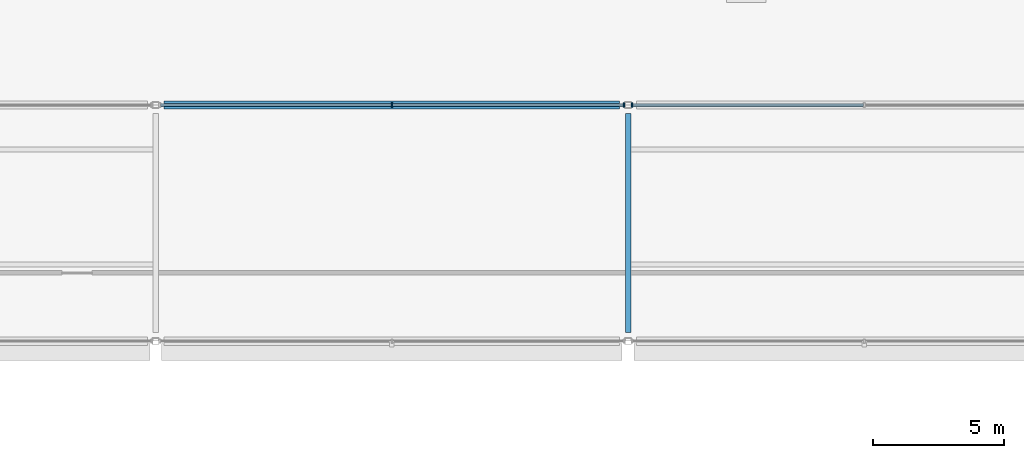
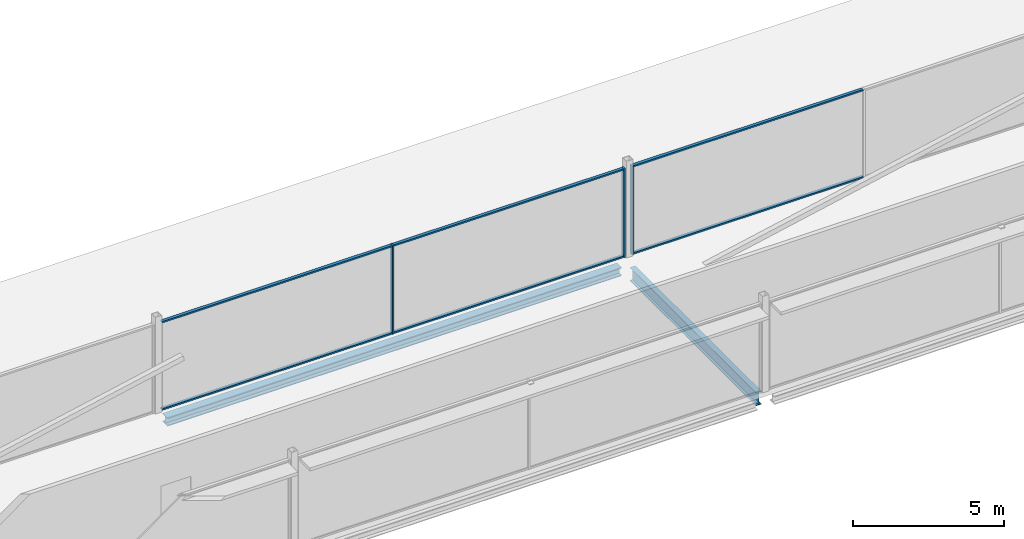
# One storey, part 23 of 105: 9 members, 2 beams, 2 elements without a shape of their own.
"""IFC4 building model written with IfcOpenShell, lengths in metres."""

from ifc_helpers import new_model, si_unit, direction, frame, origin, origin_2d, place, context, subcontext, project, spatial, rectangle, i_section, extrude, material, layer, layer_set, material_profile, profile_set, type_object, element, aggregate, save


model = new_model("IFC4")

# Units and contexts
model_context = context("Model", 3, precision=1e-05, world=origin(), true_north=direction((0.0, 1.0)))
body_context = subcontext(model_context, "Body", "Model", "MODEL_VIEW")
ifc_project = project(units=[si_unit("LENGTHUNIT", "METRE"), si_unit("AREAUNIT", "SQUARE_METRE"), si_unit("VOLUMEUNIT", "CUBIC_METRE"), si_unit("PLANEANGLEUNIT", "RADIAN"), si_unit("MASSUNIT", "GRAM", prefix="KILO")], contexts=[model_context])

# Site, building, storey
site_placement = place(None, origin())
site = spatial("IfcSite", under=ifc_project, at=site_placement, CompositionType="ELEMENT")
building_placement = place(site_placement, origin())
building = spatial("IfcBuilding", under=site, at=building_placement, Name="Kisiwana Market Hall", CompositionType="ELEMENT")
storey_placement = place(building_placement, frame((0.0, 0.0, 21.60009765625)))
storey = spatial("IfcBuildingStorey", under=building, at=storey_placement, Name="L04", CompositionType="ELEMENT", Elevation=21.60009765625)

# Beams
ifc_material_1 = material(Name="Steel S355", Category="steel")
ifc_material_profile_1 = material_profile(ifc_material_1, i_section(OverallWidth=0.209228515625, OverallDepth=0.533203125, WebThickness=0.010009765625, FlangeThickness=0.015625, at=origin_2d()), Name="UB 533x210x92")
ifc_profile_set_1 = profile_set([ifc_material_profile_1], Name="Steel S355")
beam_type_1 = type_object("IfcBeamType", Name="BM-GIRD-UB533", PredefinedType="BEAM", material=ifc_profile_set_1)
beam_1_placement = place(storey_placement, frame((81.0, 18.321044921875, -0.53173828125), z_axis=(0.0, 1.0, 0.0), x_axis=(-1.0, 0.0, 0.0)))
element("IfcBeam", 1, at=beam_1_placement, inside=storey, type_object=beam_type_1, Name="Primary girder B-1361", PredefinedType="BEAM", context=body_context, shape_type="SweptSolid", body=[
    extrude(i_section(OverallWidth=0.209228515625, OverallDepth=0.533203125, WebThickness=0.010009765625, FlangeThickness=0.015625, at=origin_2d()), origin(), (0.0, 0.0, 1.0), 8.35791015625),
])
ifc_material_2 = material(Name="Steel S355", Category="steel")
ifc_material_profile_2 = material_profile(ifc_material_2, i_section(OverallWidth=0.314453125, OverallDepth=0.33984375, WebThickness=0.01904296875, FlangeThickness=0.031494140625, at=origin_2d()), Name="UC 305x305x198")
ifc_profile_set_2 = profile_set([ifc_material_profile_2], Name="Steel S355")
beam_type_2 = type_object("IfcBeamType", Name="BM-SKYBR-CHORD", PredefinedType="BEAM", material=ifc_profile_set_2)
beam_2_placement = place(storey_placement, frame((63.321044921875, 27.0, -0.462158203125), z_axis=(1.0, 0.0, 0.0), x_axis=(0.0, 1.0, 0.0)))
element("IfcBeam", 2, at=beam_2_placement, inside=storey, type_object=beam_type_2, Name="Floor beam B-1438", PredefinedType="BEAM", context=body_context, shape_type="SweptSolid", body=[
    extrude(i_section(OverallWidth=0.314453125, OverallDepth=0.33984375, WebThickness=0.01904296875, FlangeThickness=0.031494140625, at=origin_2d()), origin(), (0.0, 0.0, 1.0), 17.35791015625),
])

# Curtain wall, members
ifc_material_3 = material(Name="Double-glazed solar-control low-E IGU", Category="glass")
ifc_layer = layer(ifc_material_3, 0.159912109375)
ifc_layer_set = layer_set([ifc_layer], Name="CW-ZNA-EW-8200")
curtain_wall_type = type_object("IfcCurtainWallType", Name="CW-ZNA-EW-8200", PredefinedType="USERDEFINED", material=ifc_layer_set)
curtain_wall_1_placement = place(storey_placement, origin())
curtain_wall_1 = element("IfcCurtainWall", 3, at=curtain_wall_1_placement, inside=storey, type_object=curtain_wall_type, Name="Unitised curtain wall CW-099 (L04)", ObjectType="UNITISED CURTAIN WALL", PredefinedType="USERDEFINED")
ifc_material_4 = material(Name="Aluminium alloy 6063-T6", Category="aluminium")
ifc_material_profile_3 = material_profile(ifc_material_4, rectangle(XDim=0.06005859375, YDim=0.159912109375, at=origin_2d()), Name="ALU MULLION 60x160")
ifc_profile_set_3 = profile_set([ifc_material_profile_3], Name="Aluminium alloy 6063-T6")
member_type_1 = type_object("IfcMemberType", Name="CW-MULL-60x160", PredefinedType="MULLION", material=ifc_profile_set_3)
member_1_placement = place(storey_placement, frame((72.0, 27.0, 0.0), z_axis=(0.0, 0.0, 1.0), x_axis=(1.0, 0.0, 0.0)))
member_1 = element("IfcMember", 4, at=member_1_placement, type_object=member_type_1, Name="CW-099 mullion 2", PredefinedType="MULLION", context=body_context, shape_type="SweptSolid", body=[
    extrude(rectangle(XDim=0.06005859375, YDim=0.159912109375, at=origin_2d()), origin(), (0.0, 0.0, 1.0), 3.5849609375),
])
member_2_placement = place(storey_placement, frame((80.844970703125, 27.0, 0.0), z_axis=(0.0, 0.0, 1.0), x_axis=(1.0, 0.0, 0.0)))
member_2 = element("IfcMember", 5, at=member_2_placement, type_object=member_type_1, Name="CW-099 mullion 3", PredefinedType="MULLION", context=body_context, shape_type="SweptSolid", body=[
    extrude(rectangle(XDim=0.06005859375, YDim=0.159912109375, at=origin_2d()), origin(), (0.0, 0.0, 1.0), 3.5849609375),
])

# Curtain wall, member
curtain_wall_2_placement = place(storey_placement, origin())
curtain_wall_2 = element("IfcCurtainWall", 6, at=curtain_wall_2_placement, inside=storey, type_object=curtain_wall_type, Name="Unitised curtain wall CW-100 (L04)", ObjectType="UNITISED CURTAIN WALL", PredefinedType="USERDEFINED")
member_3_placement = place(storey_placement, frame((81.155029296875, 27.0, 0.0), z_axis=(0.0, 0.0, 1.0), x_axis=(1.0, 0.0, 0.0)))
member_3 = element("IfcMember", 7, at=member_3_placement, type_object=member_type_1, Name="CW-100 mullion 1", PredefinedType="MULLION", context=body_context, shape_type="SweptSolid", body=[
    extrude(rectangle(XDim=0.06005859375, YDim=0.159912109375, at=origin_2d()), origin(), (0.0, 0.0, 1.0), 3.5849609375),
])

# Member
ifc_material_5 = material(Name="Aluminium alloy 6063-T6", Category="aluminium")
ifc_material_profile_4 = material_profile(ifc_material_5, rectangle(XDim=0.1201171875, YDim=0.06005859375, at=origin_2d()), Name="ALU TRANSOM 60x120")
ifc_profile_set_4 = profile_set([ifc_material_profile_4], Name="Aluminium alloy 6063-T6")
member_type_2 = type_object("IfcMemberType", Name="CW-TRAN-60x120", PredefinedType="USERDEFINED", material=ifc_profile_set_4)
member_4_placement = place(storey_placement, frame((63.18505859375, 27.0, 0.02978515625), z_axis=(1.0, 0.0, 0.0), x_axis=(0.0, 1.0, 0.0)))
member_4 = element("IfcMember", 8, at=member_4_placement, type_object=member_type_2, Name="CW-099 transom 1.1", ObjectType="TRANSOM", PredefinedType="USERDEFINED", context=body_context, shape_type="SweptSolid", body=[
    extrude(rectangle(XDim=0.1201171875, YDim=0.06005859375, at=origin_2d()), origin(), (0.0, 0.0, 1.0), 8.784912109375),
])

member_5_placement = place(storey_placement, frame((63.18505859375, 27.0, 3.554931640625), z_axis=(1.0, 0.0, 0.0), x_axis=(0.0, 1.0, 0.0)))
member_5 = element("IfcMember", 9, at=member_5_placement, type_object=member_type_2, Name="CW-099 transom 1.2", ObjectType="TRANSOM", PredefinedType="USERDEFINED", context=body_context, shape_type="SweptSolid", body=[
    extrude(rectangle(XDim=0.1201171875, YDim=0.06005859375, at=origin_2d()), origin(), (0.0, 0.0, 1.0), 8.784912109375),
])

member_6_placement = place(storey_placement, frame((72.030029296875, 27.0, 0.02978515625), z_axis=(1.0, 0.0, 0.0), x_axis=(0.0, 1.0, 0.0)))
member_6 = element("IfcMember", 10, at=member_6_placement, type_object=member_type_2, Name="CW-099 transom 2.1", ObjectType="TRANSOM", PredefinedType="USERDEFINED", context=body_context, shape_type="SweptSolid", body=[
    extrude(rectangle(XDim=0.1201171875, YDim=0.06005859375, at=origin_2d()), origin(), (0.0, 0.0, 1.0), 8.784912109375),
])

member_7_placement = place(storey_placement, frame((72.030029296875, 27.0, 3.554931640625), z_axis=(1.0, 0.0, 0.0), x_axis=(0.0, 1.0, 0.0)))
member_7 = element("IfcMember", 11, at=member_7_placement, type_object=member_type_2, Name="CW-099 transom 2.2", ObjectType="TRANSOM", PredefinedType="USERDEFINED", context=body_context, shape_type="SweptSolid", body=[
    extrude(rectangle(XDim=0.1201171875, YDim=0.06005859375, at=origin_2d()), origin(), (0.0, 0.0, 1.0), 8.784912109375),
])

aggregate(curtain_wall_1, [member_1, member_2, member_4, member_5, member_6, member_7])

member_8_placement = place(storey_placement, frame((81.18505859375, 27.0, 0.02978515625), z_axis=(1.0, 0.0, 0.0), x_axis=(0.0, 1.0, 0.0)))
member_8 = element("IfcMember", 12, at=member_8_placement, type_object=member_type_2, Name="CW-100 transom 1.1", ObjectType="TRANSOM", PredefinedType="USERDEFINED", context=body_context, shape_type="SweptSolid", body=[
    extrude(rectangle(XDim=0.1201171875, YDim=0.06005859375, at=origin_2d()), origin(), (0.0, 0.0, 1.0), 8.784912109375),
])

member_9_placement = place(storey_placement, frame((81.18505859375, 27.0, 3.554931640625), z_axis=(1.0, 0.0, 0.0), x_axis=(0.0, 1.0, 0.0)))
member_9 = element("IfcMember", 13, at=member_9_placement, type_object=member_type_2, Name="CW-100 transom 1.2", ObjectType="TRANSOM", PredefinedType="USERDEFINED", context=body_context, shape_type="SweptSolid", body=[
    extrude(rectangle(XDim=0.1201171875, YDim=0.06005859375, at=origin_2d()), origin(), (0.0, 0.0, 1.0), 8.784912109375),
])

aggregate(curtain_wall_2, [member_3, member_8, member_9])

save(model, "model.ifc")
